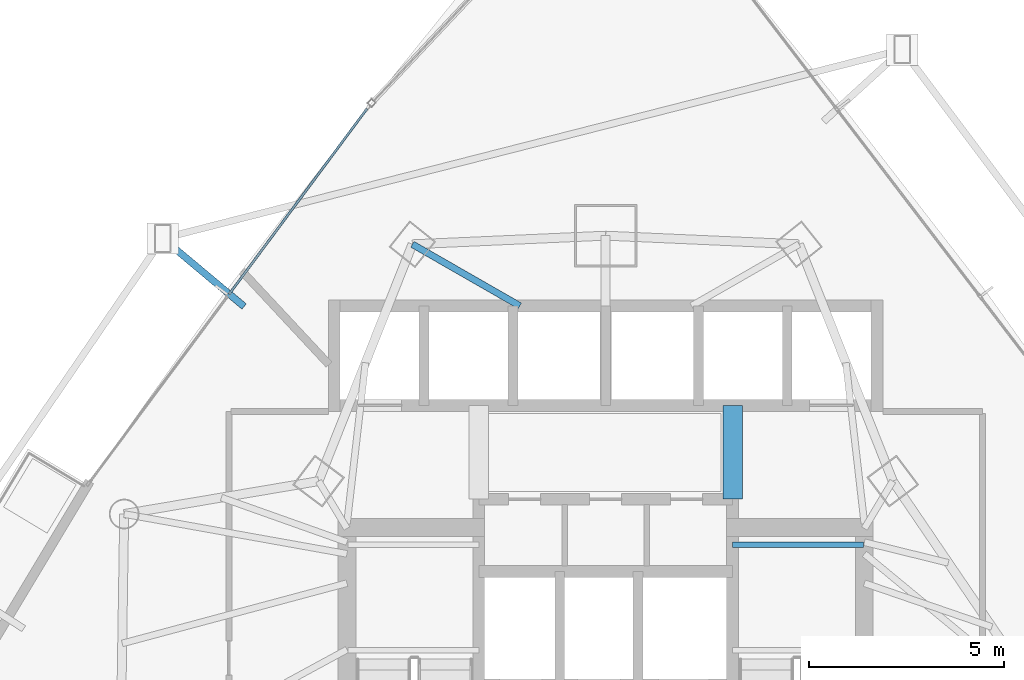
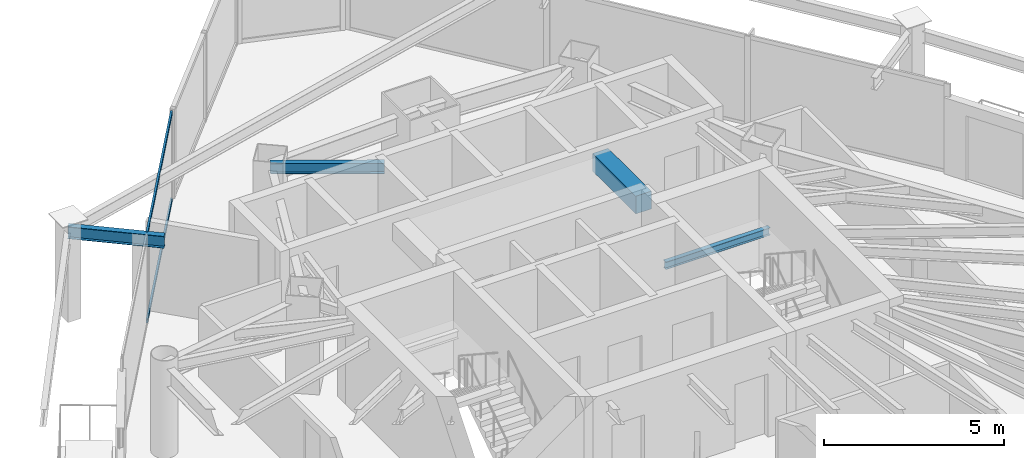
# One storey, part 20 of 33: 4 beams, 2 members, 1 element without a shape of its own.
"""IFC4 building model written with IfcOpenShell, lengths in metres."""

from ifc_helpers import new_model, si_unit, direction, frame, origin, origin_2d, place, context, subcontext, project, spatial, rectangle, hollow_rectangle, i_section, extrude, material, layer, layer_set, material_profile, profile_set, type_object, element, aggregate, save


model = new_model("IFC4")

# Units and contexts
model_context = context("Model", 3, precision=1e-05, world=origin(), true_north=direction((0.0, 1.0)))
body_context = subcontext(model_context, "Body", "Model", "MODEL_VIEW")
ifc_project = project(units=[si_unit("LENGTHUNIT", "METRE"), si_unit("AREAUNIT", "SQUARE_METRE"), si_unit("VOLUMEUNIT", "CUBIC_METRE"), si_unit("PLANEANGLEUNIT", "RADIAN"), si_unit("MASSUNIT", "GRAM", prefix="KILO")], contexts=[model_context])

# Site, building, storey
site_placement = place(None, origin())
site = spatial("IfcSite", under=ifc_project, at=site_placement, CompositionType="ELEMENT")
building_placement = place(site_placement, origin())
building = spatial("IfcBuilding", under=site, at=building_placement, Name="Orvanel Arch Residences", CompositionType="ELEMENT")
storey_placement = place(building_placement, frame((0.0, 0.0, 93.949951171875)))
storey = spatial("IfcBuildingStorey", under=building, at=storey_placement, Name="L26", CompositionType="ELEMENT", Elevation=93.949951171875)

# Beams
ifc_material_1 = material(Name="Structural steel AS/NZS 3679.1 Grade 300 (300 MPa)", Category="steel")
ifc_material_profile_1 = material_profile(ifc_material_1, i_section(OverallWidth=0.14599609375, OverallDepth=0.251953125, WebThickness=0.006103515625, FlangeThickness=0.008544921875, at=origin_2d()), Name="250UB31.4")
ifc_profile_set_1 = profile_set([ifc_material_profile_1], Name="Structural steel AS/NZS 3679.1 Grade 300 (300 MPa)")
beam_type_1 = type_object("IfcBeamType", Name="BJ-250UB", PredefinedType="JOIST", material=ifc_profile_set_1)
beam_1_placement = place(storey_placement, frame((36.25, 33.47998046875, 1.323974609375), z_axis=(1.0, 0.0, 0.0), x_axis=(0.0, 1.0, 0.0)))
element("IfcBeam", 1, at=beam_1_placement, inside=storey, type_object=beam_type_1, Name="L26 ST-2 Half-Landing Support Beam 1.2", PredefinedType="JOIST", context=body_context, shape_type="SweptSolid", body=[
    extrude(i_section(OverallWidth=0.14599609375, OverallDepth=0.251953125, WebThickness=0.006103515625, FlangeThickness=0.008544921875, at=origin_2d()), origin(), (0.0, 0.0, 1.0), 3.35009765625),
])
ifc_material_profile_2 = material_profile(ifc_material_1, i_section(OverallWidth=0.1708984375, OverallDepth=0.35595703125, WebThickness=0.00732421875, FlangeThickness=0.011474609375, at=origin_2d()), Name="360UB50.7")
ifc_profile_set_2 = profile_set([ifc_material_profile_2], Name="Structural steel AS/NZS 3679.1 Grade 300 (300 MPa)")
beam_type_2 = type_object("IfcBeamType", Name="BJ-360UB", PredefinedType="JOIST", material=ifc_profile_set_2)
beam_2_placement = place(storey_placement, frame((30.800048828125, 39.60009765625, 2.842041015625), z_axis=(-0.86736513383, 0.497672306458, 0.0), x_axis=(-0.497672306458, -0.86736513383, 0.0)))
element("IfcBeam", 2, at=beam_2_placement, inside=storey, type_object=beam_type_2, Name="L26 MNW Wing Floor Joist", PredefinedType="JOIST", context=body_context, shape_type="SweptSolid", body=[
    extrude(i_section(OverallWidth=0.1708984375, OverallDepth=0.35595703125, WebThickness=0.00732421875, FlangeThickness=0.011474609375, at=origin_2d()), origin(), (0.0, 0.0, 1.0), 3.17041015625),
])
ifc_material_2 = material(Name="Concrete S65 (65 MPa)", Category="concrete")
ifc_material_profile_3 = material_profile(ifc_material_2, rectangle(XDim=0.5, YDim=0.60009765625, at=origin_2d()), Name="RC500x600")
ifc_profile_set_3 = profile_set([ifc_material_profile_3], Name="Concrete S65 (65 MPa)")
beam_type_3 = type_object("IfcBeamType", Name="CB-500x600", PredefinedType="LINTEL", material=ifc_profile_set_3)
beam_3_placement = place(storey_placement, frame((36.25, 34.64990234375, 2.719970703125), z_axis=(0.0, 1.0, 0.0), x_axis=(-1.0, 0.0, 0.0)))
element("IfcBeam", 3, at=beam_3_placement, inside=storey, type_object=beam_type_3, Name="L26 East Core Lobby Coupling Lintel Beam", PredefinedType="LINTEL", context=body_context, shape_type="SweptSolid", body=[
    extrude(rectangle(XDim=0.5, YDim=0.60009765625, at=origin_2d()), origin(), (0.0, 0.0, 1.0), 2.400146484375),
])
ifc_material_profile_4 = material_profile(ifc_material_1, i_section(OverallWidth=0.177978515625, OverallDepth=0.406005859375, WebThickness=0.0078125, FlangeThickness=0.0126953125, at=origin_2d()), Name="410UB59.7")
ifc_profile_set_4 = profile_set([ifc_material_profile_4], Name="Structural steel AS/NZS 3679.1 Grade 300 (300 MPa)")
beam_type_4 = type_object("IfcBeamType", Name="OB-410UB-EXT", PredefinedType="SPANDREL", material=ifc_profile_set_4)
beam_4_placement = place(storey_placement, frame((23.741943359375, 39.583984375, 2.817138671875), z_axis=(-0.766760759099, 0.641932970259, 0.0), x_axis=(-0.641932970259, -0.766760759099, 0.0)))
element("IfcBeam", 4, at=beam_4_placement, inside=storey, type_object=beam_type_4, Name="L26 Outer Frame Radial Tie Beam 01", PredefinedType="SPANDREL", context=body_context, shape_type="SweptSolid", body=[
    extrude(i_section(OverallWidth=0.177978515625, OverallDepth=0.406005859375, WebThickness=0.0078125, FlangeThickness=0.0126953125, at=origin_2d()), origin(), (0.0, 0.0, 1.0), 2.716552734375),
])

# Curtain wall, members
ifc_material_3 = material(Name="Bronze-anodised aluminium AA6063-T6", Category="aluminium")
ifc_layer = layer(ifc_material_3, 0.179931640625)
ifc_layer_set = layer_set([ifc_layer], Name="Bronze-anodised aluminium AA6063-T6")
curtain_wall_type = type_object("IfcCurtainWallType", Name="CW2-LOW-SYS", PredefinedType="NOTDEFINED", material=ifc_layer_set)
curtain_wall_placement = place(storey_placement, origin())
curtain_wall = element("IfcCurtainWall", 5, at=curtain_wall_placement, inside=storey, type_object=curtain_wall_type, Name="L26 CW2-LOW-SYS Unitised Curtain Wall", PredefinedType="NOTDEFINED")
ifc_material_profile_5 = material_profile(ifc_material_3, hollow_rectangle(XDim=0.06005859375, YDim=0.135009765625, WallThickness=0.00390625, at=origin_2d()), Name="ALU135x60x4")
ifc_profile_set_5 = profile_set([ifc_material_profile_5], Name="Bronze-anodised aluminium AA6063-T6")
member_type = type_object("IfcMemberType", Name="TRN-135x60", PredefinedType="USERDEFINED", material=ifc_profile_set_5)
member_1_placement = place(storey_placement, frame((26.88818359375, 44.65087890625, 0.030029296875), z_axis=(-0.596515409938, -0.802601623289, 0.0), x_axis=(0.802601623289, -0.596515409938, 0.0)))
member_1 = element("IfcMember", 6, at=member_1_placement, type_object=member_type, Name="CW-S2 transom 1.1", ObjectType="TRANSOM", PredefinedType="USERDEFINED", context=body_context, shape_type="SweptSolid", body=[
    extrude(hollow_rectangle(XDim=0.06005859375, YDim=0.135009765625, WallThickness=0.00390625, at=origin_2d()), origin(), (0.0, 0.0, 1.0), 5.917236328125),
])
member_2_placement = place(storey_placement, frame((26.88818359375, 44.65087890625, 2.989990234375), z_axis=(-0.596515409938, -0.802601623289, 0.0), x_axis=(0.802601623289, -0.596515409938, 0.0)))
member_2 = element("IfcMember", 7, at=member_2_placement, type_object=member_type, Name="CW-S2 transom 1.2", ObjectType="TRANSOM", PredefinedType="USERDEFINED", context=body_context, shape_type="SweptSolid", body=[
    extrude(hollow_rectangle(XDim=0.06005859375, YDim=0.135009765625, WallThickness=0.00390625, at=origin_2d()), origin(), (0.0, 0.0, 1.0), 5.917236328125),
])
aggregate(curtain_wall, [member_1, member_2])

save(model, "model.ifc")
